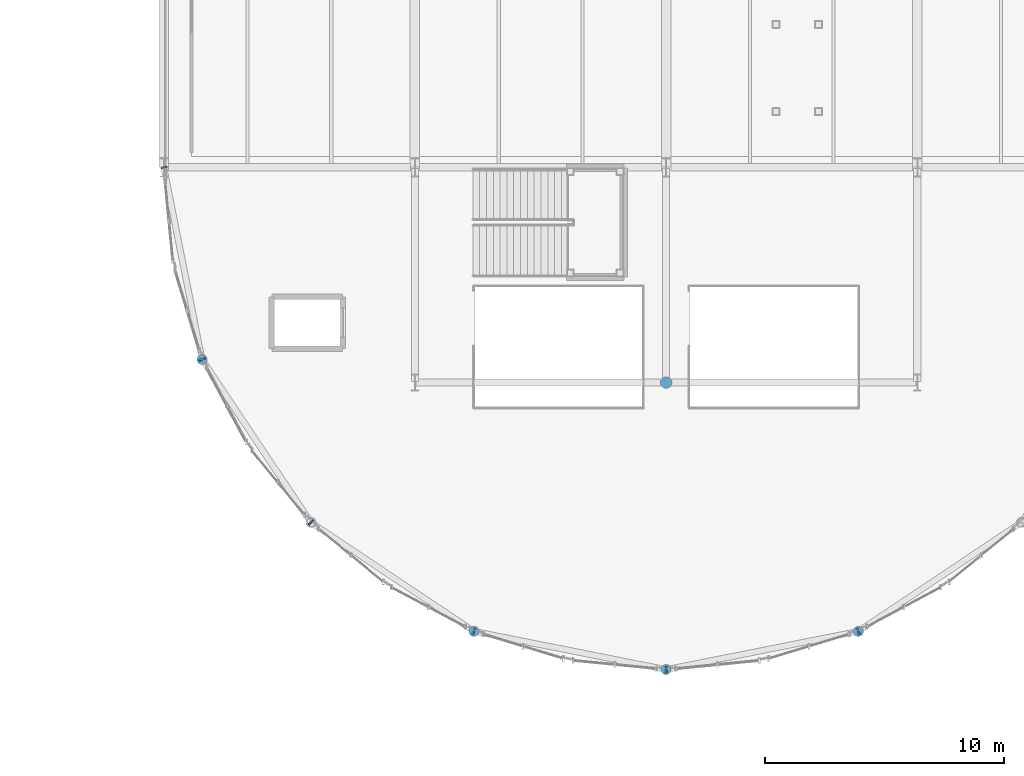
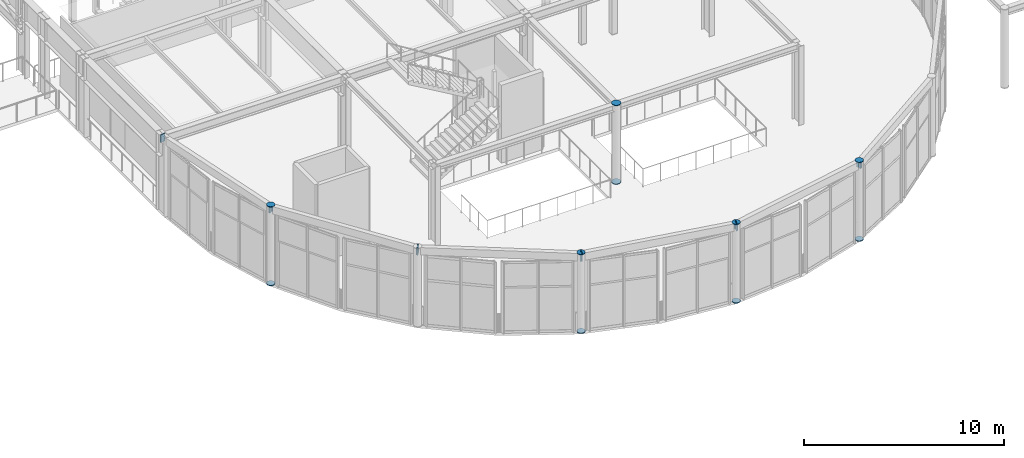
# One storey, part 93 of 143: 21 discrete accessories.
"""IFC4 building model written with IfcOpenShell, lengths in metres."""

from ifc_helpers import new_model, si_unit, direction, frame, origin, origin_2d, place, context, subcontext, project, spatial, rectangle, circle, extrude, material, element, save


model = new_model("IFC4")

# Units and contexts
model_context = context("Model", 3, precision=1e-05, world=origin(), true_north=direction((0.0, 1.0)))
body_context = subcontext(model_context, "Body", "Model", "MODEL_VIEW")
ifc_project = project(units=[si_unit("LENGTHUNIT", "METRE"), si_unit("AREAUNIT", "SQUARE_METRE"), si_unit("VOLUMEUNIT", "CUBIC_METRE"), si_unit("PLANEANGLEUNIT", "RADIAN"), si_unit("MASSUNIT", "GRAM", prefix="KILO")], contexts=[model_context])

# Site, building, storey
site_placement = place(None, origin())
site = spatial("IfcSite", under=ifc_project, at=site_placement, CompositionType="ELEMENT")
building_placement = place(site_placement, origin())
building = spatial("IfcBuilding", under=site, at=building_placement, Name="Marlcrest Central Station", CompositionType="ELEMENT")
storey_placement = place(building_placement, frame((0.0, 0.0, 4.800048828125)))
storey = spatial("IfcBuildingStorey", under=building, at=storey_placement, Name="L01", CompositionType="ELEMENT", Elevation=4.800048828125)

# Discrete accessories
ifc_material = material(Name="Steel S355", Category="steel")
for number, where, z_axis, x_axis, name in (
    (1, (88.59912109375, 14.464111328125, -0.014892578125), (0.0, 0.0, 1.0), (1.0, 0.0, 0.0), "endcap-col-SC-10-L01-0788-s"),
    (2, (88.59912109375, 14.464111328125, 4.78515625), (0.0, 0.0, 1.0), (1.0, 0.0, 0.0), "endcap-col-SC-10-L01-0788-e"),
    (3, (99.964111328125, 3.09912109375, -0.014892578125), (0.0, 0.0, 1.0), (1.0, 0.0, 0.0), "endcap-col-SC-10-L01-0796-s"),
    (4, (99.964111328125, 3.09912109375, 4.78515625), (0.0, 0.0, 1.0), (1.0, 0.0, 0.0), "endcap-col-SC-10-L01-0796-e"),
    (5, (108.0, 1.5, -0.014892578125), (0.0, 0.0, 1.0), (1.0, 0.0, 0.0), "endcap-col-SC-10-L01-0800-s"),
    (6, (108.0, 1.5, 4.78515625), (0.0, 0.0, 1.0), (1.0, 0.0, 0.0), "endcap-col-SC-10-L01-0800-e"),
    (7, (116.035888671875, 3.09912109375, -0.014892578125), (0.0, 0.0, 1.0), (1.0, 0.0, 0.0), "endcap-col-SC-10-L01-0804-s"),
    (8, (116.035888671875, 3.09912109375, 4.78515625), (0.0, 0.0, 1.0), (1.0, 0.0, 0.0), "endcap-col-SC-10-L01-0804-e"),
):
    element("IfcDiscreteAccessory", number, at=place(storey_placement, frame(where, z_axis=z_axis, x_axis=x_axis)), inside=storey, material=ifc_material, Name=name, ObjectType="END_CAP_PLATE", PredefinedType="BRACKET", context=body_context, shape_type="SweptSolid", body=[
        extrude(circle(Radius=0.211181640625, at=origin_2d()), origin(), (0.0, 0.0, 1.0), 0.0400390625),
    ])
for number, where, z_axis, x_axis, name in (
    (9, (108.0, 13.5, -0.014892578125), (0.0, 0.0, 1.0), (1.0, 0.0, 0.0), "endcap-col-SC-11-L01-0820-s"),
    (10, (108.0, 13.5, 4.7900390625), (0.0, 0.0, 1.0), (1.0, 0.0, 0.0), "endcap-col-SC-11-L01-0820-e"),
):
    element("IfcDiscreteAccessory", number, at=place(storey_placement, frame(where, z_axis=z_axis, x_axis=x_axis)), inside=storey, material=ifc_material, Name=name, ObjectType="END_CAP_PLATE", PredefinedType="BRACKET", context=body_context, shape_type="SweptSolid", body=[
        extrude(circle(Radius=0.236572265625, at=origin_2d()), origin(), (0.0, 0.0, 1.0), 0.0400390625),
    ])
for number, where, z_axis, x_axis, name in (
    (11, (86.9970703125, 22.5146484375, 4.58984375), (0.19517056122, -0.980769316421, 0.0), (0.980769316421, 0.19517056122, 0.0), "endcap-bm-SP-02-L01-01357-s"),
    (12, (88.59423828125, 14.488525390625, 4.58984375), (0.19517056122, -0.980769316421, 0.0), (0.980769316421, 0.19517056122, 0.0), "endcap-bm-SP-02-L01-01357-e"),
    (13, (88.5908203125, 14.4765625, 4.58984375), (0.55551129271, -0.831508991937, 0.0), (0.831508991937, 0.55551129271, 0.0), "endcap-bm-SP-02-L01-01358-s"),
    (14, (93.136962890625, 7.671630859375, 4.58984375), (0.55551129271, -0.831508991937, 0.0), (0.831508991937, 0.55551129271, 0.0), "endcap-bm-SP-02-L01-01358-e"),
    (15, (93.138427734375, 7.6591796875, 4.58984375), (0.831508991937, -0.55551129271, 0.0), (0.55551129271, 0.831508991937, 0.0), "endcap-bm-SP-02-L01-01359-s"),
    (16, (99.943359375, 3.113037109375, 4.58984375), (0.831508991937, -0.55551129271, 0.0), (0.55551129271, 0.831508991937, 0.0), "endcap-bm-SP-02-L01-01359-e"),
    (17, (99.949462890625, 3.10205078125, 4.58984375), (0.980769316421, -0.19517056122, 0.0), (0.19517056122, 0.980769316421, 0.0), "endcap-bm-SP-02-L01-01360-s"),
    (18, (107.9755859375, 1.5048828125, 4.58984375), (0.980769316421, -0.19517056122, 0.0), (0.19517056122, 0.980769316421, 0.0), "endcap-bm-SP-02-L01-01360-e"),
    (19, (107.9853515625, 1.4970703125, 4.58984375), (0.980769316421, 0.19517056122, 0.0), (-0.19517056122, 0.980769316421, 0.0), "endcap-bm-SP-02-L01-01361-s"),
    (20, (116.011474609375, 3.09423828125, 4.58984375), (0.980769316421, 0.19517056122, 0.0), (-0.19517056122, 0.980769316421, 0.0), "endcap-bm-SP-02-L01-01361-e"),
    (21, (116.0234375, 3.0908203125, 4.58984375), (0.831508991937, 0.55551129271, 0.0), (-0.55551129271, 0.831508991937, 0.0), "endcap-bm-SP-02-L01-01362-s"),
):
    element("IfcDiscreteAccessory", number, at=place(storey_placement, frame(where, z_axis=z_axis, x_axis=x_axis)), inside=storey, material=ifc_material, Name=name, ObjectType="END_CAP_PLATE", PredefinedType="BRACKET", context=body_context, shape_type="SweptSolid", body=[
        extrude(rectangle(XDim=0.26611328125, YDim=0.466064453125, at=origin_2d()), origin(), (0.0, 0.0, 1.0), 0.0400390625),
    ])

save(model, "model.ifc")
